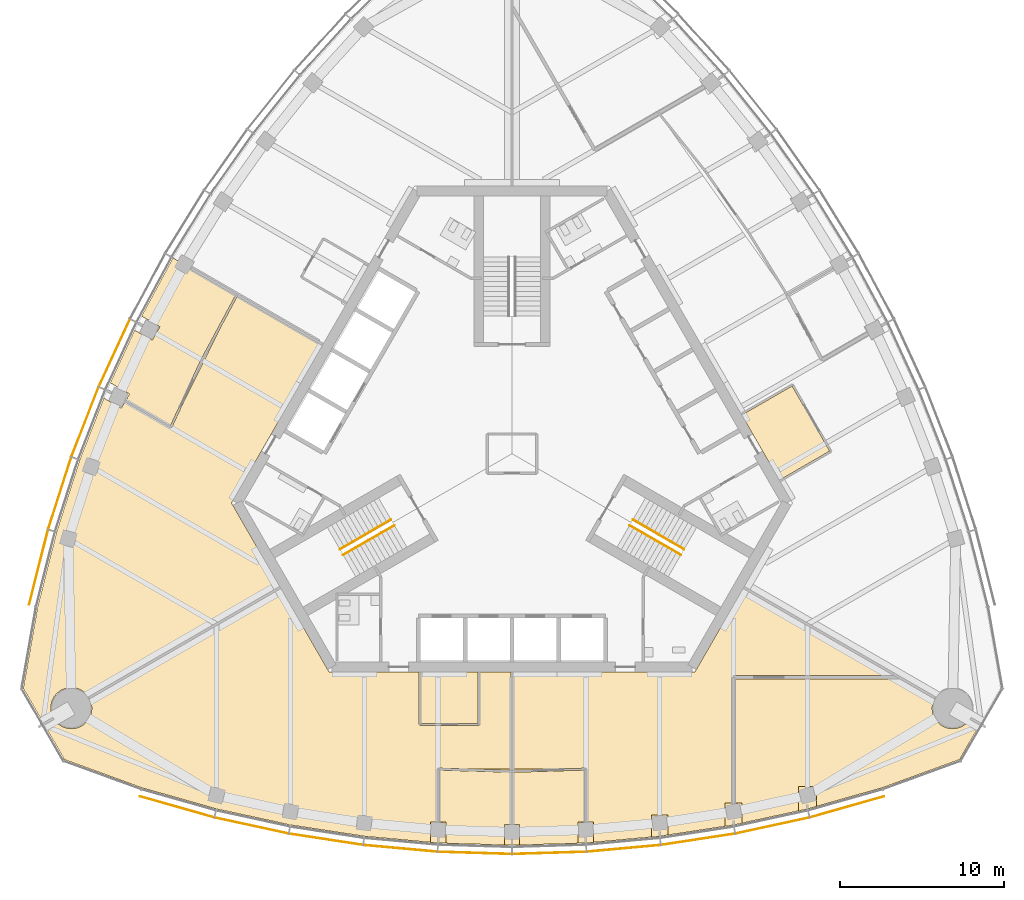
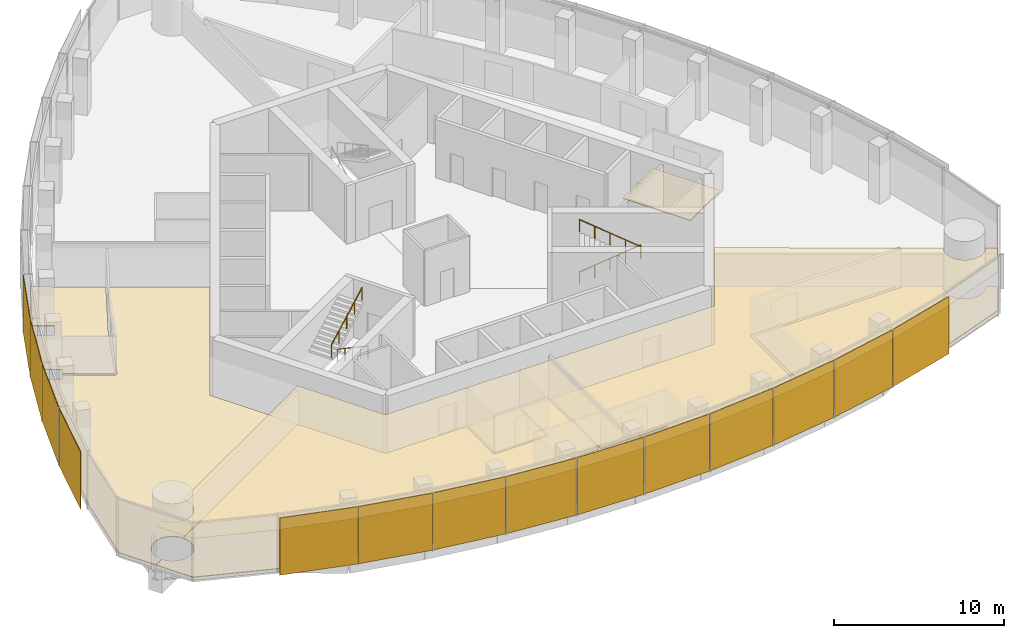
# One storey, part 12 of 16: 14 shading devices, 9 coverings, 4 railings.
"""IFC4 building model written with IfcOpenShell, lengths in metres."""

from ifc_helpers import new_model, si_unit, direction, frame, origin, origin_2d, place, context, subcontext, project, spatial, polyline, rectangle, circle, outline, extrude, material, layer, layer_set, type_object, element, save


model = new_model("IFC4")

# Units and contexts
model_context = context("Model", 3, precision=1e-05, world=origin(), true_north=direction((0.0, 1.0)))
body_context = subcontext(model_context, "Body", "Model", "MODEL_VIEW")
ifc_project = project(units=[si_unit("LENGTHUNIT", "METRE"), si_unit("AREAUNIT", "SQUARE_METRE"), si_unit("VOLUMEUNIT", "CUBIC_METRE"), si_unit("PLANEANGLEUNIT", "RADIAN"), si_unit("MASSUNIT", "GRAM", prefix="KILO")], contexts=[model_context])

# Site, building, storey
site_placement = place(None, origin())
site = spatial("IfcSite", under=ifc_project, at=site_placement, CompositionType="ELEMENT")
building_placement = place(site_placement, origin())
building = spatial("IfcBuilding", under=site, at=building_placement, Name="Trefoil Bronze Tower", CompositionType="ELEMENT")
storey_placement = place(building_placement, frame((0.0, 0.0, 314.10009765625)))
storey = spatial("IfcBuildingStorey", under=building, at=storey_placement, Name="L72", CompositionType="ELEMENT", Elevation=314.10009765625)

# Shading devices
ifc_material_1 = material(Name="Perforated bronze sheet", Category="bronze")
ifc_layer_1 = layer(ifc_material_1, 0.0400390625)
ifc_layer_set_1 = layer_set([ifc_layer_1], Name="Bronze solar screen panel")
shading_device_type = type_object("IfcShadingDeviceType", Name="Bronze solar screen panel", PredefinedType="SHUTTER", material=ifc_layer_set_1)
shading_device_1_placement = place(storey_placement, frame((-20.42138671875, -21.515625, 0.0498046875), z_axis=(0.0, 0.0, 1.0), x_axis=(0.962097746943, -0.272704831875, 0.0)))
element("IfcShadingDevice", 1, at=shading_device_1_placement, inside=storey, type_object=shading_device_type, Name="Solar screen CW-A L72 F1 bay 1", PredefinedType="SHUTTER", context=body_context, shape_type="SweptSolid", body=[
    extrude(rectangle(XDim=4.697509765625, YDim=0.0400390625, at=origin_2d()), origin(), (0.0, 0.0, 1.0), 4.10009765625),
])
shading_device_2_placement = place(storey_placement, frame((-15.864501953125, -22.65625, 0.0498046875), z_axis=(0.0, 0.0, 1.0), x_axis=(0.977303138829, -0.211845639168, 0.0)))
element("IfcShadingDevice", 2, at=shading_device_2_placement, inside=storey, type_object=shading_device_type, Name="Solar screen CW-A L72 F1 bay 2", PredefinedType="SHUTTER", context=body_context, shape_type="SweptSolid", body=[
    extrude(rectangle(XDim=4.574462890625, YDim=0.0400390625, at=origin_2d()), origin(), (0.0, 0.0, 1.0), 4.10009765625),
])
shading_device_3_placement = place(storey_placement, frame((-11.331787109375, -23.494384765625, 0.0498046875), z_axis=(0.0, 0.0, 1.0), x_axis=(0.988485337216, -0.151316681529, 0.0)))
element("IfcShadingDevice", 3, at=shading_device_3_placement, inside=storey, type_object=shading_device_type, Name="Solar screen CW-A L72 F1 bay 3", PredefinedType="SHUTTER", context=body_context, shape_type="SweptSolid", body=[
    extrude(rectangle(XDim=4.5224609375, YDim=0.0400390625, at=origin_2d()), origin(), (0.0, 0.0, 1.0), 4.10009765625),
])
shading_device_4_placement = place(storey_placement, frame((-6.799072265625, -24.048095703125, 0.0498046875), z_axis=(0.0, 0.0, 1.0), x_axis=(0.99587011625, -0.090789380212, 0.0)))
element("IfcShadingDevice", 4, at=shading_device_4_placement, inside=storey, type_object=shading_device_type, Name="Solar screen CW-A L72 F1 bay 4", PredefinedType="SHUTTER", context=body_context, shape_type="SweptSolid", body=[
    extrude(rectangle(XDim=4.48876953125, YDim=0.0400390625, at=origin_2d()), origin(), (0.0, 0.0, 1.0), 4.10009765625),
])
for number, where, z_axis, x_axis, name in (
    (5, (-2.266357421875, -24.3232421875, 0.0498046875), (0.0, 0.0, 1.0), (0.999541969785, -0.030263024264, 0.0), "Solar screen CW-A L72 F1 bay 5"),
    (6, (2.266357421875, -24.3232421875, 0.0498046875), (0.0, 0.0, 1.0), (0.999541969785, 0.030263024264, 0.0), "Solar screen CW-A L72 F1 bay 6"),
):
    element("IfcShadingDevice", number, at=place(storey_placement, frame(where, z_axis=z_axis, x_axis=x_axis)), inside=storey, type_object=shading_device_type, Name=name, PredefinedType="SHUTTER", context=body_context, shape_type="SweptSolid", body=[
        extrude(rectangle(XDim=4.47216796875, YDim=0.0400390625, at=origin_2d()), origin(), (0.0, 0.0, 1.0), 4.10009765625),
    ])
shading_device_5_placement = place(storey_placement, frame((6.799072265625, -24.048095703125, 0.0498046875), z_axis=(0.0, 0.0, 1.0), x_axis=(0.99587011625, 0.090789380212, 0.0)))
element("IfcShadingDevice", 7, at=shading_device_5_placement, inside=storey, type_object=shading_device_type, Name="Solar screen CW-A L72 F1 bay 7", PredefinedType="SHUTTER", context=body_context, shape_type="SweptSolid", body=[
    extrude(rectangle(XDim=4.48876953125, YDim=0.0400390625, at=origin_2d()), origin(), (0.0, 0.0, 1.0), 4.10009765625),
])
shading_device_6_placement = place(storey_placement, frame((11.331787109375, -23.494384765625, 0.0498046875), z_axis=(0.0, 0.0, 1.0), x_axis=(0.988485337216, 0.151316681529, 0.0)))
element("IfcShadingDevice", 8, at=shading_device_6_placement, inside=storey, type_object=shading_device_type, Name="Solar screen CW-A L72 F1 bay 8", PredefinedType="SHUTTER", context=body_context, shape_type="SweptSolid", body=[
    extrude(rectangle(XDim=4.5224609375, YDim=0.0400390625, at=origin_2d()), origin(), (0.0, 0.0, 1.0), 4.10009765625),
])
shading_device_7_placement = place(storey_placement, frame((15.864501953125, -22.65625, 0.0498046875), z_axis=(0.0, 0.0, 1.0), x_axis=(0.977303138829, 0.211845639168, 0.0)))
element("IfcShadingDevice", 9, at=shading_device_7_placement, inside=storey, type_object=shading_device_type, Name="Solar screen CW-A L72 F1 bay 9", PredefinedType="SHUTTER", context=body_context, shape_type="SweptSolid", body=[
    extrude(rectangle(XDim=4.574462890625, YDim=0.0400390625, at=origin_2d()), origin(), (0.0, 0.0, 1.0), 4.10009765625),
])
shading_device_8_placement = place(storey_placement, frame((20.42138671875, -21.515625, 0.0498046875), z_axis=(0.0, 0.0, 1.0), x_axis=(0.962097746943, 0.272704831875, 0.0)))
element("IfcShadingDevice", 10, at=shading_device_8_placement, inside=storey, type_object=shading_device_type, Name="Solar screen CW-A L72 F1 bay 10", PredefinedType="SHUTTER", context=body_context, shape_type="SweptSolid", body=[
    extrude(rectangle(XDim=4.697509765625, YDim=0.0400390625, at=origin_2d()), origin(), (0.0, 0.0, 1.0), 4.10009765625),
])
shading_device_9_placement = place(storey_placement, frame((-24.2255859375, 6.135986328125, 0.0498046875), z_axis=(0.0, 0.0, 1.0), x_axis=(-0.419309148468, -0.907843509649, 0.0)))
element("IfcShadingDevice", 11, at=shading_device_9_placement, inside=storey, type_object=shading_device_type, Name="Solar screen CW-A L72 F3 bay 7", PredefinedType="SHUTTER", context=body_context, shape_type="SweptSolid", body=[
    extrude(rectangle(XDim=4.48876953125, YDim=0.0400390625, at=origin_2d()), origin(), (0.0, 0.0, 1.0), 4.10009765625),
])
shading_device_10_placement = place(storey_placement, frame((-26.0126953125, 1.93359375, 0.0498046875), z_axis=(0.0, 0.0, 1.0), x_axis=(-0.363198578387, -0.931711754062, 0.0)))
element("IfcShadingDevice", 12, at=shading_device_10_placement, inside=storey, type_object=shading_device_type, Name="Solar screen CW-A L72 F3 bay 8", PredefinedType="SHUTTER", context=body_context, shape_type="SweptSolid", body=[
    extrude(rectangle(XDim=4.5224609375, YDim=0.0400390625, at=origin_2d()), origin(), (0.0, 0.0, 1.0), 4.10009765625),
])
shading_device_11_placement = place(storey_placement, frame((-27.55322265625, -2.410888671875, 0.0498046875), z_axis=(0.0, 0.0, 1.0), x_axis=(-0.305187864214, -0.952292165009, 0.0)))
element("IfcShadingDevice", 13, at=shading_device_11_placement, inside=storey, type_object=shading_device_type, Name="Solar screen CW-A L72 F3 bay 9", PredefinedType="SHUTTER", context=body_context, shape_type="SweptSolid", body=[
    extrude(rectangle(XDim=4.574462890625, YDim=0.0400390625, at=origin_2d()), origin(), (0.0, 0.0, 1.0), 4.10009765625),
])
shading_device_12_placement = place(storey_placement, frame((-28.843994140625, -6.927490234375, 0.0498046875), z_axis=(0.0, 0.0, 1.0), x_axis=(-0.244879561333, -0.969553505713, 0.0)))
element("IfcShadingDevice", 14, at=shading_device_12_placement, inside=storey, type_object=shading_device_type, Name="Solar screen CW-A L72 F3 bay 10", PredefinedType="SHUTTER", context=body_context, shape_type="SweptSolid", body=[
    extrude(rectangle(XDim=4.697509765625, YDim=0.0400390625, at=origin_2d()), origin(), (0.0, 0.0, 1.0), 4.10009765625),
])

# Railings
ifc_material_2 = material(Name="Steel handrail", Category="steel")
railing_type = type_object("IfcRailingType", Name="Handrail 900", PredefinedType="HANDRAIL", material=ifc_material_2)
railing_1_placement = place(storey_placement, frame((7.365966796875, -4.021728515625, 0.161376953125)))
element("IfcRailing", 15, at=railing_1_placement, inside=storey, type_object=railing_type, Name="Handrail ST1 flight 1 L72", PredefinedType="HANDRAIL", context=body_context, shape_type="SweptSolid", body=[
    extrude(circle(Radius=0.02392578125, at=origin_2d()), frame((0.0, 0.0, 0.8759765625), z_axis=(0.76250339821, -0.440245697338, 0.474101564745), x_axis=(0.500012057535, 0.866018442252, 0.0)), (0.0, 0.0, 1.0), 4.088623046875),
    extrude(circle(Radius=0.02099609375, at=origin_2d()), origin(), (0.0, 0.0, 1.0), 0.851806640625),
    extrude(circle(Radius=0.02099609375, at=origin_2d()), frame((0.779296875, -0.449951171875, 0.484619140625)), (0.0, 0.0, 1.0), 0.851806640625),
    extrude(circle(Radius=0.02099609375, at=origin_2d()), frame((1.558837890625, -0.89990234375, 0.96923828125)), (0.0, 0.0, 1.0), 0.851806640625),
    extrude(circle(Radius=0.02099609375, at=origin_2d()), frame((2.33837890625, -1.35009765625, 1.453857421875)), (0.0, 0.0, 1.0), 0.851806640625),
    extrude(circle(Radius=0.02099609375, at=origin_2d()), frame((3.11767578125, -1.800048828125, 1.9384765625)), (0.0, 0.0, 1.0), 0.851806640625),
])
railing_2_placement = place(storey_placement, frame((10.28369140625, -6.168212890625, 2.261474609375)))
element("IfcRailing", 16, at=railing_2_placement, inside=storey, type_object=railing_type, Name="Handrail ST1 flight 2 L72", PredefinedType="HANDRAIL", context=body_context, shape_type="SweptSolid", body=[
    extrude(circle(Radius=0.02392578125, at=origin_2d()), frame((0.0, 0.0, 0.8759765625), z_axis=(-0.76250339821, 0.440245697338, 0.474101564745), x_axis=(-0.500012057535, -0.866018442252, 0.0)), (0.0, 0.0, 1.0), 4.088623046875),
    extrude(circle(Radius=0.02099609375, at=origin_2d()), origin(), (0.0, 0.0, 1.0), 0.851806640625),
    extrude(circle(Radius=0.02099609375, at=origin_2d()), frame((-0.779296875, 0.449951171875, 0.484619140625)), (0.0, 0.0, 1.0), 0.851806640625),
    extrude(circle(Radius=0.02099609375, at=origin_2d()), frame((-1.558837890625, 0.89990234375, 0.96923828125)), (0.0, 0.0, 1.0), 0.851806640625),
    extrude(circle(Radius=0.02099609375, at=origin_2d()), frame((-2.33837890625, 1.35009765625, 1.453857421875)), (0.0, 0.0, 1.0), 0.851806640625),
    extrude(circle(Radius=0.02099609375, at=origin_2d()), frame((-3.11767578125, 1.800048828125, 1.9384765625)), (0.0, 0.0, 1.0), 0.851806640625),
])
railing_3_placement = place(storey_placement, frame((-7.166015625, -4.3681640625, 0.161376953125)))
element("IfcRailing", 17, at=railing_3_placement, inside=storey, type_object=railing_type, Name="Handrail ST3 flight 1 L72", PredefinedType="HANDRAIL", context=body_context, shape_type="SweptSolid", body=[
    extrude(circle(Radius=0.02392578125, at=origin_2d()), frame((0.0, 0.0, 0.8759765625), z_axis=(-0.76250339821, -0.440245697338, 0.474101564745), x_axis=(0.500012057535, -0.866018442252, 0.0)), (0.0, 0.0, 1.0), 4.088623046875),
    extrude(circle(Radius=0.02099609375, at=origin_2d()), origin(), (0.0, 0.0, 1.0), 0.851806640625),
    extrude(circle(Radius=0.02099609375, at=origin_2d()), frame((-0.779296875, -0.449951171875, 0.484619140625)), (0.0, 0.0, 1.0), 0.851806640625),
    extrude(circle(Radius=0.02099609375, at=origin_2d()), frame((-1.558837890625, -0.89990234375, 0.96923828125)), (0.0, 0.0, 1.0), 0.851806640625),
    extrude(circle(Radius=0.02099609375, at=origin_2d()), frame((-2.33837890625, -1.35009765625, 1.453857421875)), (0.0, 0.0, 1.0), 0.851806640625),
    extrude(circle(Radius=0.02099609375, at=origin_2d()), frame((-3.11767578125, -1.800048828125, 1.9384765625)), (0.0, 0.0, 1.0), 0.851806640625),
])
railing_4_placement = place(storey_placement, frame((-10.483642578125, -5.82177734375, 2.261474609375)))
element("IfcRailing", 18, at=railing_4_placement, inside=storey, type_object=railing_type, Name="Handrail ST3 flight 2 L72", PredefinedType="HANDRAIL", context=body_context, shape_type="SweptSolid", body=[
    extrude(circle(Radius=0.02392578125, at=origin_2d()), frame((0.0, 0.0, 0.8759765625), z_axis=(0.76250339821, 0.440245697338, 0.474101564745), x_axis=(-0.500012057535, 0.866018442252, 0.0)), (0.0, 0.0, 1.0), 4.088623046875),
    extrude(circle(Radius=0.02099609375, at=origin_2d()), origin(), (0.0, 0.0, 1.0), 0.851806640625),
    extrude(circle(Radius=0.02099609375, at=origin_2d()), frame((0.779296875, 0.449951171875, 0.484619140625)), (0.0, 0.0, 1.0), 0.851806640625),
    extrude(circle(Radius=0.02099609375, at=origin_2d()), frame((1.558837890625, 0.89990234375, 0.96923828125)), (0.0, 0.0, 1.0), 0.851806640625),
    extrude(circle(Radius=0.02099609375, at=origin_2d()), frame((2.33837890625, 1.35009765625, 1.453857421875)), (0.0, 0.0, 1.0), 0.851806640625),
    extrude(circle(Radius=0.02099609375, at=origin_2d()), frame((3.11767578125, 1.800048828125, 1.9384765625)), (0.0, 0.0, 1.0), 0.851806640625),
])

# Coverings
ifc_material_3 = material(Name="Acoustic ceiling panels", Category="mineral fibre")
ifc_layer_2 = layer(ifc_material_3, 0.02001953125)
ifc_layer_set_2 = layer_set([ifc_layer_2], Name="Office ceiling 20")
covering_type_1 = type_object("IfcCoveringType", Name="Office ceiling 20", PredefinedType="CEILING", material=ifc_layer_set_2)
covering_1_placement = place(storey_placement, frame((0.0, 0.0, 2.89990234375)))
element("IfcCovering", 19, at=covering_1_placement, inside=storey, type_object=covering_type_1, Name="Ceiling L72 Lounge F1", PredefinedType="CEILING", context=body_context, shape_type="SweptSolid", body=[
    extrude(outline(polyline([(-27.885986328125, -16.194580078125), (-27.850830078125, -16.24462890625), (-27.81298828125, -16.29296875), (-27.77294921875, -16.33935546875), (-27.730712890625, -16.3837890625), (-27.686279296875, -16.42626953125), (-27.639892578125, -16.46630859375), (-27.59130859375, -16.50390625), (-27.541259765625, -16.539306640625), (-27.489501953125, -16.572265625), (-27.43603515625, -16.602294921875), (-27.381103515625, -16.6298828125), (-27.3251953125, -16.65478515625), (-27.267822265625, -16.677001953125), (-27.209716796875, -16.6962890625), (-27.150390625, -16.71240234375), (-27.0908203125, -16.72607421875), (-27.0302734375, -16.736572265625), (-26.96923828125, -16.743896484375), (-26.908203125, -16.74853515625), (-26.8466796875, -16.75), (-26.785400390625, -16.74853515625), (-26.724365234375, -16.743896484375), (-26.663330078125, -16.736572265625), (-26.602783203125, -16.72607421875), (-26.543212890625, -16.71240234375), (-26.48388671875, -16.6962890625), (-26.42578125, -16.677001953125), (-26.368408203125, -16.65478515625), (-26.312255859375, -16.6298828125), (-26.257568359375, -16.602294921875), (-26.2041015625, -16.572265625), (-26.15234375, -16.539306640625), (-26.102294921875, -16.50390625), (-26.0537109375, -16.46630859375), (-26.00732421875, -16.42626953125), (-25.962890625, -16.3837890625), (-25.920654296875, -16.33935546875), (-25.880615234375, -16.29296875), (-25.8427734375, -16.24462890625), (-25.8076171875, -16.194580078125), (-25.774658203125, -16.142578125), (-25.744384765625, -16.089111328125), (-25.716796875, -16.034423828125), (-25.69189453125, -15.978515625), (-25.669921875, -15.921142578125), (-25.650634765625, -15.86279296875), (-25.63427734375, -15.8037109375), (-25.620849609375, -15.743896484375), (-25.6103515625, -15.683349609375), (-25.602783203125, -15.62255859375), (-25.598388671875, -15.561279296875), (-25.5966796875, -15.5), (-25.598388671875, -15.438720703125), (-25.602783203125, -15.37744140625), (-25.6103515625, -15.316650390625), (-25.620849609375, -15.256103515625), (-25.63427734375, -15.1962890625), (-25.650634765625, -15.13720703125), (-25.669921875, -15.078857421875), (-25.69189453125, -15.021484375), (-25.716796875, -14.965576171875), (-25.759033203125, -14.885009765625), (-14.11328125, -8.1552734375), (-11.142822265625, -13.300048828125), (11.142822265625, -13.300048828125), (14.11328125, -8.1552734375), (25.759033203125, -14.885009765625), (25.716796875, -14.965576171875), (25.69189453125, -15.021484375), (25.669921875, -15.078857421875), (25.650634765625, -15.13720703125), (25.63427734375, -15.1962890625), (25.620849609375, -15.256103515625), (25.6103515625, -15.316650390625), (25.602783203125, -15.37744140625), (25.598388671875, -15.438720703125), (25.5966796875, -15.5), (25.598388671875, -15.561279296875), (25.602783203125, -15.62255859375), (25.6103515625, -15.683349609375), (25.620849609375, -15.743896484375), (25.63427734375, -15.8037109375), (25.650634765625, -15.86279296875), (25.669921875, -15.921142578125), (25.69189453125, -15.978515625), (25.716796875, -16.034423828125), (25.744384765625, -16.089111328125), (25.774658203125, -16.142578125), (25.8076171875, -16.194580078125), (25.8427734375, -16.24462890625), (25.880615234375, -16.29296875), (25.920654296875, -16.33935546875), (25.962890625, -16.3837890625), (26.00732421875, -16.42626953125), (26.0537109375, -16.46630859375), (26.102294921875, -16.50390625), (26.15234375, -16.539306640625), (26.2041015625, -16.572265625), (26.257568359375, -16.602294921875), (26.312255859375, -16.6298828125), (26.368408203125, -16.65478515625), (26.42578125, -16.677001953125), (26.48388671875, -16.6962890625), (26.543212890625, -16.71240234375), (26.602783203125, -16.72607421875), (26.663330078125, -16.736572265625), (26.724365234375, -16.743896484375), (26.785400390625, -16.74853515625), (26.8466796875, -16.75), (26.908203125, -16.74853515625), (26.96923828125, -16.743896484375), (27.0302734375, -16.736572265625), (27.0908203125, -16.72607421875), (27.150390625, -16.71240234375), (27.209716796875, -16.6962890625), (27.267822265625, -16.677001953125), (27.3251953125, -16.65478515625), (27.381103515625, -16.6298828125), (27.43603515625, -16.602294921875), (27.489501953125, -16.572265625), (27.541259765625, -16.539306640625), (27.59130859375, -16.50390625), (27.639892578125, -16.46630859375), (27.686279296875, -16.42626953125), (27.730712890625, -16.3837890625), (27.77294921875, -16.33935546875), (27.81298828125, -16.29296875), (27.850830078125, -16.24462890625), (27.885986328125, -16.194580078125), (27.923095703125, -16.135498046875), (28.510009765625, -16.474609375), (27.26220703125, -18.635986328125), (22.54833984375, -20.3515625), (18.0, -21.640869140625), (13.5, -22.6162109375), (9.0, -23.30517578125), (4.5, -23.71533203125), (0.0, -23.8515625), (-4.5, -23.71533203125), (-9.0, -23.30517578125), (-13.5, -22.6162109375), (-18.0, -21.640869140625), (-22.54833984375, -20.3515625), (-27.26220703125, -18.635986328125), (-28.510009765625, -16.474609375), (-27.923095703125, -16.135498046875), (-27.885986328125, -16.194580078125)])), origin(), (0.0, 0.0, 1.0), 0.02001953125),
])
ifc_material_4 = material(Name="Raised access floor panels", Category="steel")
ifc_layer_3 = layer(ifc_material_4, 0.050048828125)
ifc_layer_set_3 = layer_set([ifc_layer_3], Name="Raised access floor 150")
covering_type_2 = type_object("IfcCoveringType", Name="Raised access floor 150", PredefinedType="FLOORING", material=ifc_layer_set_3)
covering_2_placement = place(storey_placement, frame((0.0, 0.0, 0.099853515625)))
element("IfcCovering", 20, at=covering_2_placement, inside=storey, type_object=covering_type_2, Name="Raised floor L72 Private dining room F1", PredefinedType="FLOORING", context=body_context, shape_type="SweptSolid", body=[
    extrude(outline(polyline([(27.26220703125, -18.635986328125), (22.54833984375, -20.3515625), (18.546875, -21.48583984375), (18.546875, -20.269287109375), (17.453125, -20.269287109375), (17.453125, -21.75927734375), (14.025390625, -22.50244140625), (14.025390625, -21.27734375), (13.60009765625, -21.27734375), (13.60009765625, -13.719970703125), (23.570068359375, -13.719970703125), (23.570068359375, -13.6201171875), (25.759033203125, -14.885009765625), (25.716796875, -14.965576171875), (25.69189453125, -15.021484375), (25.669921875, -15.078857421875), (25.650634765625, -15.13720703125), (25.63427734375, -15.1962890625), (25.620849609375, -15.256103515625), (25.6103515625, -15.316650390625), (25.602783203125, -15.37744140625), (25.598388671875, -15.438720703125), (25.5966796875, -15.5), (25.598388671875, -15.561279296875), (25.602783203125, -15.62255859375), (25.6103515625, -15.683349609375), (25.620849609375, -15.743896484375), (25.63427734375, -15.8037109375), (25.650634765625, -15.86279296875), (25.669921875, -15.921142578125), (25.69189453125, -15.978515625), (25.716796875, -16.034423828125), (25.744384765625, -16.089111328125), (25.774658203125, -16.142578125), (25.8076171875, -16.194580078125), (25.8427734375, -16.24462890625), (25.880615234375, -16.29296875), (25.920654296875, -16.33935546875), (25.962890625, -16.3837890625), (26.00732421875, -16.42626953125), (26.0537109375, -16.46630859375), (26.102294921875, -16.50390625), (26.15234375, -16.539306640625), (26.2041015625, -16.572265625), (26.257568359375, -16.602294921875), (26.312255859375, -16.6298828125), (26.368408203125, -16.65478515625), (26.42578125, -16.677001953125), (26.48388671875, -16.6962890625), (26.543212890625, -16.71240234375), (26.602783203125, -16.72607421875), (26.663330078125, -16.736572265625), (26.724365234375, -16.743896484375), (26.785400390625, -16.74853515625), (26.8466796875, -16.75), (26.908203125, -16.74853515625), (26.96923828125, -16.743896484375), (27.0302734375, -16.736572265625), (27.0908203125, -16.72607421875), (27.150390625, -16.71240234375), (27.209716796875, -16.6962890625), (27.267822265625, -16.677001953125), (27.3251953125, -16.65478515625), (27.381103515625, -16.6298828125), (27.43603515625, -16.602294921875), (27.489501953125, -16.572265625), (27.541259765625, -16.539306640625), (27.59130859375, -16.50390625), (27.639892578125, -16.46630859375), (27.686279296875, -16.42626953125), (27.730712890625, -16.3837890625), (27.77294921875, -16.33935546875), (27.81298828125, -16.29296875), (27.850830078125, -16.24462890625), (27.885986328125, -16.194580078125), (27.923095703125, -16.135498046875), (28.510009765625, -16.474609375), (27.26220703125, -18.635986328125)])), origin(), (0.0, 0.0, 1.0), 0.050048828125),
])
covering_3_placement = place(storey_placement, frame((0.0, 0.0, 0.099853515625)))
element("IfcCovering", 21, at=covering_3_placement, inside=storey, type_object=covering_type_2, Name="Raised floor L72 Cloakroom F1", PredefinedType="FLOORING", context=body_context, shape_type="SweptSolid", body=[
    extrude(outline(polyline([(-2.06005859375, -13.300048828125), (-2.06005859375, -16.43994140625), (-5.5400390625, -16.43994140625), (-5.5400390625, -13.300048828125), (-2.06005859375, -13.300048828125)])), origin(), (0.0, 0.0, 1.0), 0.050048828125),
])
covering_4_placement = place(storey_placement, frame((0.0, 0.0, 0.099853515625)))
element("IfcCovering", 22, at=covering_4_placement, inside=storey, type_object=covering_type_2, Name="Raised floor L72 Kitchen F1", PredefinedType="FLOORING", context=body_context, shape_type="SweptSolid", body=[
    extrude(outline(polyline([(0.450927734375, -23.837890625), (0.450927734375, -22.6005859375), (-0.450927734375, -22.6005859375), (-0.450927734375, -23.837890625), (-4.0224609375, -23.729736328125), (-4.0224609375, -22.436279296875), (-4.5, -22.436279296875), (-4.5, -22.43310546875), (-4.43994140625, -22.43310546875), (-4.43994140625, -19.277099609375), (-0.074951171875, -19.409423828125), (-0.074951171875, -22.571533203125), (0.074951171875, -22.571533203125), (0.074951171875, -19.409423828125), (4.43994140625, -19.277099609375), (4.43994140625, -22.43310546875), (4.5, -22.43310546875), (4.5, -22.436279296875), (4.0224609375, -22.436279296875), (4.0224609375, -23.729736328125), (0.450927734375, -23.837890625)])), origin(), (0.0, 0.0, 1.0), 0.050048828125),
])
covering_5_placement = place(storey_placement, frame((0.0, 0.0, 0.099853515625)))
element("IfcCovering", 23, at=covering_5_placement, inside=storey, type_object=covering_type_2, Name="Raised floor L72 Lounge F1", PredefinedType="FLOORING", context=body_context, shape_type="SweptSolid", body=[
    extrude(outline(polyline([(-25.759033203125, -14.885009765625), (-14.11328125, -8.1552734375), (-11.142822265625, -13.300048828125), (-5.659912109375, -13.300048828125), (-5.659912109375, -16.5), (-5.60009765625, -16.5), (-5.60009765625, -16.56005859375), (-2.0, -16.56005859375), (-2.0, -16.5), (-1.93994140625, -16.5), (-1.93994140625, -13.300048828125), (-0.0009765625, -13.300048828125), (-0.0009765625, -13.31005859375), (-0.074951171875, -13.31005859375), (-0.074951171875, -19.21533203125), (-2.517333984375, -19.21533203125), (-4.498291015625, -19.155517578125), (-4.5, -19.21533203125), (-4.56005859375, -19.21533203125), (-4.56005859375, -22.43310546875), (-4.5, -22.43310546875), (-4.5, -22.436279296875), (-4.9775390625, -22.436279296875), (-4.9775390625, -23.671875), (-9.0, -23.30517578125), (-13.5, -22.6162109375), (-18.0, -21.640869140625), (-22.54833984375, -20.3515625), (-27.26220703125, -18.635986328125), (-28.510009765625, -16.474609375), (-27.923095703125, -16.135498046875), (-27.885986328125, -16.194580078125), (-27.850830078125, -16.24462890625), (-27.81298828125, -16.29296875), (-27.77294921875, -16.33935546875), (-27.730712890625, -16.3837890625), (-27.686279296875, -16.42626953125), (-27.639892578125, -16.46630859375), (-27.59130859375, -16.50390625), (-27.541259765625, -16.539306640625), (-27.489501953125, -16.572265625), (-27.43603515625, -16.602294921875), (-27.381103515625, -16.6298828125), (-27.3251953125, -16.65478515625), (-27.267822265625, -16.677001953125), (-27.209716796875, -16.6962890625), (-27.150390625, -16.71240234375), (-27.0908203125, -16.72607421875), (-27.0302734375, -16.736572265625), (-26.96923828125, -16.743896484375), (-26.908203125, -16.74853515625), (-26.8466796875, -16.75), (-26.785400390625, -16.74853515625), (-26.724365234375, -16.743896484375), (-26.663330078125, -16.736572265625), (-26.602783203125, -16.72607421875), (-26.543212890625, -16.71240234375), (-26.48388671875, -16.6962890625), (-26.42578125, -16.677001953125), (-26.368408203125, -16.65478515625), (-26.312255859375, -16.6298828125), (-26.257568359375, -16.602294921875), (-26.2041015625, -16.572265625), (-26.15234375, -16.539306640625), (-26.102294921875, -16.50390625), (-26.0537109375, -16.46630859375), (-26.00732421875, -16.42626953125), (-25.962890625, -16.3837890625), (-25.920654296875, -16.33935546875), (-25.880615234375, -16.29296875), (-25.8427734375, -16.24462890625), (-25.8076171875, -16.194580078125), (-25.774658203125, -16.142578125), (-25.744384765625, -16.089111328125), (-25.716796875, -16.034423828125), (-25.69189453125, -15.978515625), (-25.669921875, -15.921142578125), (-25.650634765625, -15.86279296875), (-25.63427734375, -15.8037109375), (-25.620849609375, -15.743896484375), (-25.6103515625, -15.683349609375), (-25.602783203125, -15.62255859375), (-25.598388671875, -15.561279296875), (-25.5966796875, -15.5), (-25.598388671875, -15.438720703125), (-25.602783203125, -15.37744140625), (-25.6103515625, -15.316650390625), (-25.620849609375, -15.256103515625), (-25.63427734375, -15.1962890625), (-25.650634765625, -15.13720703125), (-25.669921875, -15.078857421875), (-25.69189453125, -15.021484375), (-25.716796875, -14.965576171875), (-25.759033203125, -14.885009765625)])), origin(), (0.0, 0.0, 1.0), 0.050048828125),
])
covering_6_placement = place(storey_placement, frame((0.0, 0.0, 0.099853515625)))
element("IfcCovering", 24, at=covering_6_placement, inside=storey, type_object=covering_type_2, Name="Raised floor L72 Lounge F1", PredefinedType="FLOORING", context=body_context, shape_type="SweptSolid", body=[
    extrude(outline(polyline([(4.9775390625, -23.671875), (4.9775390625, -22.436279296875), (4.5, -22.436279296875), (4.5, -22.43310546875), (4.56005859375, -22.43310546875), (4.56005859375, -19.21533203125), (4.5, -19.21533203125), (4.498291015625, -19.155517578125), (2.517333984375, -19.21533203125), (0.074951171875, -19.21533203125), (0.074951171875, -13.31005859375), (0.0009765625, -13.31005859375), (0.0009765625, -13.300048828125), (11.142822265625, -13.300048828125), (14.11328125, -8.1552734375), (23.397216796875, -13.52001953125), (13.5, -13.52001953125), (13.5, -13.6201171875), (13.39990234375, -13.6201171875), (13.39990234375, -21.27734375), (12.974609375, -21.27734375), (12.974609375, -22.69677734375), (9.502197265625, -23.228271484375), (9.502197265625, -21.996826171875), (8.497802734375, -21.996826171875), (8.497802734375, -23.350830078125), (4.9775390625, -23.671875)])), origin(), (0.0, 0.0, 1.0), 0.050048828125),
])
covering_7_placement = place(storey_placement, frame((0.0, 0.0, 0.099853515625)))
element("IfcCovering", 25, at=covering_7_placement, inside=storey, type_object=covering_type_2, Name="Raised floor L72 Reception F2", PredefinedType="FLOORING", context=body_context, shape_type="SweptSolid", body=[
    extrude(outline(polyline([(13.998046875, 2.3544921875), (17.06396484375, 4.12451171875), (19.35400390625, 0.158203125), (16.2880859375, -1.61181640625), (13.998046875, 2.3544921875)])), origin(), (0.0, 0.0, 1.0), 0.050048828125),
])
covering_8_placement = place(storey_placement, frame((0.0, 0.0, 0.099853515625)))
element("IfcCovering", 26, at=covering_8_placement, inside=storey, type_object=covering_type_2, Name="Raised floor L72 Bar F3", PredefinedType="FLOORING", context=body_context, shape_type="SweptSolid", body=[
    extrude(outline(polyline([(-22.989013671875, 7.525390625), (-21.919189453125, 6.90771484375), (-21.441650390625, 7.734619140625), (-22.56201171875, 8.38134765625), (-20.656005859375, 11.92578125), (-19.547607421875, 11.285888671875), (-19.585205078125, 11.220703125), (-16.846435546875, 9.6396484375), (-18.94384765625, 5.739013671875), (-18.89111328125, 5.710693359375), (-18.945556640625, 5.735595703125), (-20.8125, 1.693115234375), (-23.519775390625, 3.256103515625), (-23.298583984375, 3.63916015625), (-24.47119140625, 4.316162109375), (-22.989013671875, 7.525390625)])), origin(), (0.0, 0.0, 1.0), 0.050048828125),
])
covering_9_placement = place(storey_placement, frame((0.0, 0.0, 0.099853515625)))
element("IfcCovering", 27, at=covering_9_placement, inside=storey, type_object=covering_type_2, Name="Raised floor L72 Workspace F3", PredefinedType="FLOORING", context=body_context, shape_type="SweptSolid", body=[
    extrude(outline(polyline([(-28.899169921875, -9.3515625), (-27.741455078125, -4.76806640625), (-26.336181640625, -0.38330078125), (-24.867431640625, 3.385009765625), (-23.801025390625, 2.769287109375), (-23.579833984375, 3.152099609375), (-20.815673828125, 1.556396484375), (-20.78564453125, 1.6083984375), (-20.731201171875, 1.583251953125), (-19.900390625, 3.382080078125), (-17.64111328125, 7.908447265625), (-16.742431640625, 9.57958984375), (-11.564208984375, 6.590087890625), (-11.52734375, 6.654052734375), (-11.5185546875, 6.649169921875), (-17.089599609375, -3.0), (-14.119384765625, -8.144775390625), (-25.77001953125, -14.865478515625), (-25.8076171875, -14.805419921875), (-25.8427734375, -14.75537109375), (-25.880615234375, -14.70703125), (-25.920654296875, -14.66064453125), (-25.962890625, -14.6162109375), (-26.00732421875, -14.57373046875), (-26.0537109375, -14.53369140625), (-26.102294921875, -14.49609375), (-26.15234375, -14.460693359375), (-26.2041015625, -14.427734375), (-26.257568359375, -14.397705078125), (-26.312255859375, -14.3701171875), (-26.368408203125, -14.34521484375), (-26.42578125, -14.322998046875), (-26.48388671875, -14.3037109375), (-26.543212890625, -14.28759765625), (-26.602783203125, -14.27392578125), (-26.663330078125, -14.263427734375), (-26.724365234375, -14.256103515625), (-26.785400390625, -14.25146484375), (-26.8466796875, -14.25), (-26.908203125, -14.25146484375), (-26.96923828125, -14.256103515625), (-27.0302734375, -14.263427734375), (-27.0908203125, -14.27392578125), (-27.150390625, -14.28759765625), (-27.209716796875, -14.3037109375), (-27.267822265625, -14.322998046875), (-27.3251953125, -14.34521484375), (-27.381103515625, -14.3701171875), (-27.43603515625, -14.397705078125), (-27.489501953125, -14.427734375), (-27.541259765625, -14.460693359375), (-27.59130859375, -14.49609375), (-27.639892578125, -14.53369140625), (-27.686279296875, -14.57373046875), (-27.730712890625, -14.6162109375), (-27.77294921875, -14.66064453125), (-27.81298828125, -14.70703125), (-27.850830078125, -14.75537109375), (-27.885986328125, -14.805419921875), (-27.9189453125, -14.857421875), (-27.94921875, -14.910888671875), (-27.976806640625, -14.965576171875), (-28.001708984375, -15.021484375), (-28.023681640625, -15.078857421875), (-28.04296875, -15.13720703125), (-28.059326171875, -15.1962890625), (-28.07275390625, -15.256103515625), (-28.083251953125, -15.316650390625), (-28.0908203125, -15.37744140625), (-28.09521484375, -15.438720703125), (-28.0966796875, -15.5), (-28.09521484375, -15.561279296875), (-28.0908203125, -15.62255859375), (-28.083251953125, -15.683349609375), (-28.07275390625, -15.743896484375), (-28.059326171875, -15.8037109375), (-28.04296875, -15.86279296875), (-28.023681640625, -15.921142578125), (-28.001708984375, -15.978515625), (-27.976806640625, -16.034423828125), (-27.93505859375, -16.1142578125), (-28.522216796875, -16.453125), (-29.770263671875, -14.291748046875), (-28.899169921875, -9.3515625)])), origin(), (0.0, 0.0, 1.0), 0.050048828125),
])

save(model, "model.ifc")
